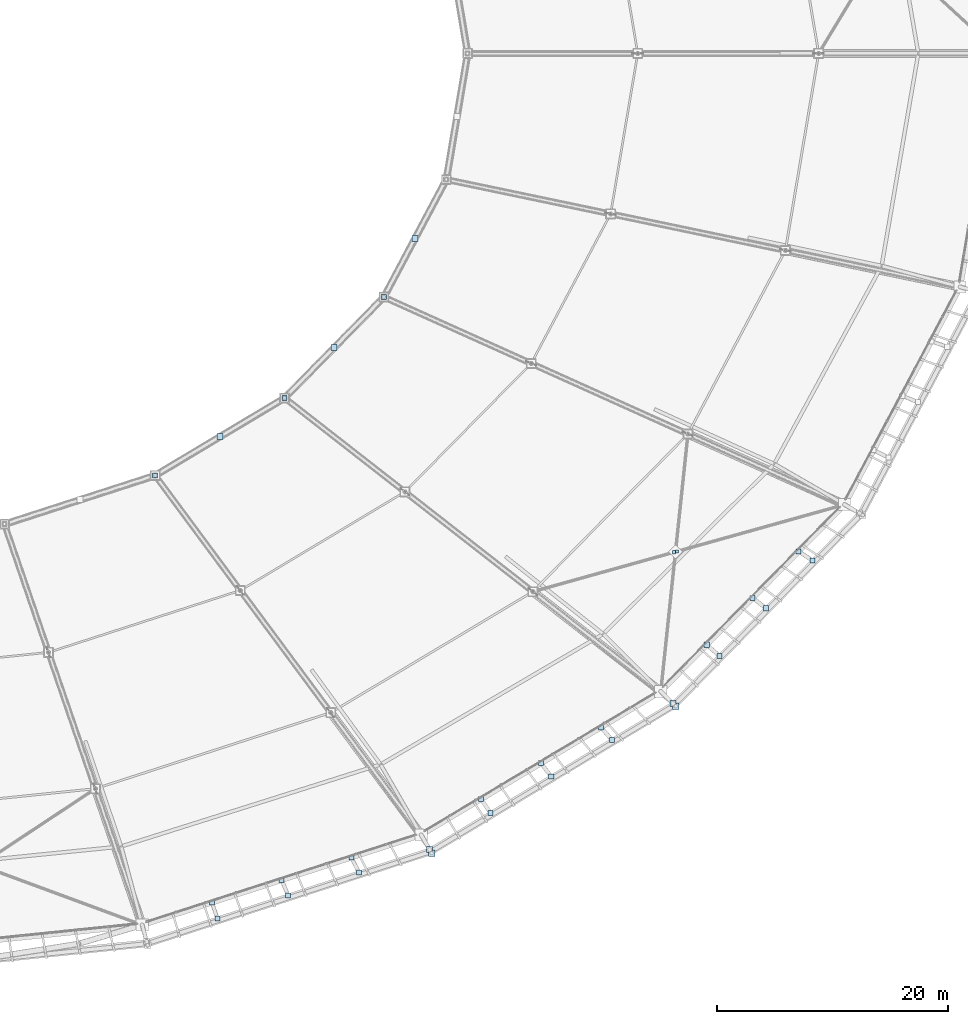
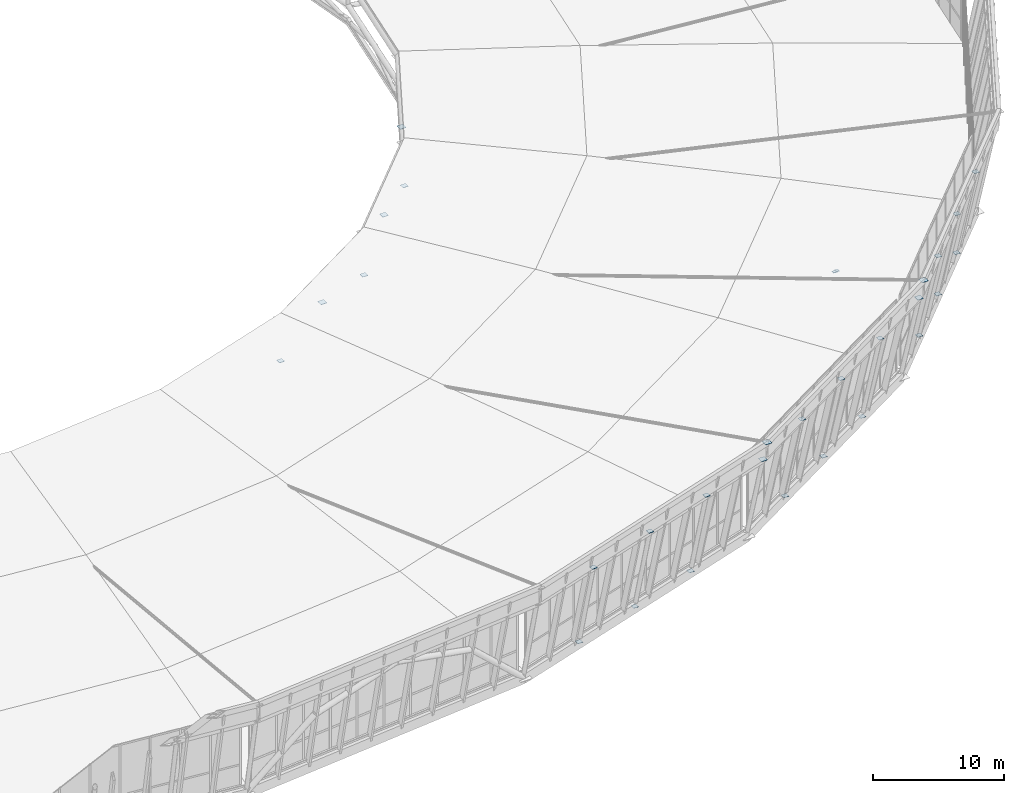
# One storey, part 105 of 115: 30 plates.
"""IFC4 building model written with IfcOpenShell, lengths in metres."""

from ifc_helpers import new_model, si_unit, direction, frame, origin, origin_2d, place, context, subcontext, project, spatial, rectangle, extrude, material, layer, layer_set, type_object, element, save


model = new_model("IFC4")

# Units and contexts
model_context = context("Model", 3, precision=1e-05, world=origin(), true_north=direction((0.0, 1.0)))
body_context = subcontext(model_context, "Body", "Model", "MODEL_VIEW")
ifc_project = project(units=[si_unit("LENGTHUNIT", "METRE"), si_unit("AREAUNIT", "SQUARE_METRE"), si_unit("VOLUMEUNIT", "CUBIC_METRE"), si_unit("PLANEANGLEUNIT", "RADIAN"), si_unit("MASSUNIT", "GRAM", prefix="KILO")], contexts=[model_context])

# Site, building, storey
site_placement = place(None, origin())
site = spatial("IfcSite", under=ifc_project, at=site_placement, CompositionType="ELEMENT")
building_placement = place(site_placement, origin())
building = spatial("IfcBuilding", under=site, at=building_placement, Name="Zlatoyarsky Gate Stadium", CompositionType="ELEMENT")
storey_placement = place(building_placement, frame((0.0, 0.0, 31.800048828125)))
storey = spatial("IfcBuildingStorey", under=building, at=storey_placement, Name="RF", CompositionType="ELEMENT", Elevation=31.800048828125)

# Plates
ifc_material = material(Name="Steel S355", Category="steel")
ifc_layer = layer(ifc_material, 0.02392578125)
ifc_layer_set = layer_set([ifc_layer], Name="Steel S355")
plate_type = type_object("IfcPlateType", Name="STEEL HOLLOW CHORD SPLICE SHEET 24", PredefinedType="SHEET", material=ifc_layer_set)
for number, where, z_axis, x_axis, name in (
    (1, (142.920166015625, 6.579833984375, -0.4619140625), (0.0, 0.0, 1.0), (1.0, 0.0, 0.0), "Node closure plate ND-SP1 NCAP-RIB-19-1-4T"),
    (2, (143.388671875, 5.19873046875, 7.137939453125), (0.0, 0.0, 1.0), (1.0, 0.0, 0.0), "Node closure plate ND-SP1 NCAP-RIB-19-1-5T"),
    (3, (148.951416015625, 8.528564453125, -0.4619140625), (0.0, 0.0, 1.0), (1.0, 0.0, 0.0), "Node closure plate ND-SP1 NCAP-RIB-19-2-4T"),
    (4, (149.50830078125, 7.18408203125, 7.137939453125), (0.0, 0.0, 1.0), (1.0, 0.0, 0.0), "Node closure plate ND-SP1 NCAP-RIB-19-2-5T"),
    (5, (154.982666015625, 10.477294921875, -0.4619140625), (0.0, 0.0, 1.0), (1.0, 0.0, 0.0), "Node closure plate ND-SP1 NCAP-RIB-19-3-4T"),
    (6, (155.6279296875, 9.169677734375, 7.137939453125), (0.0, 0.0, 1.0), (1.0, 0.0, 0.0), "Node closure plate ND-SP1 NCAP-RIB-19-3-5T"),
):
    element("IfcPlate", number, at=place(storey_placement, frame(where, z_axis=z_axis, x_axis=x_axis)), inside=storey, type_object=plate_type, Name=name, PredefinedType="SHEET", context=body_context, shape_type="SweptSolid", body=[
        extrude(rectangle(XDim=0.43994140625, YDim=0.43994140625, at=origin_2d()), origin(), (0.0, 0.0, 1.0), 0.02392578125),
    ])
plate_1_placement = place(storey_placement, frame((161.922119140625, 10.852783203125, 8.837890625), z_axis=(0.0, 0.0, 1.0), x_axis=(1.0, 0.0, 0.0)))
element("IfcPlate", 7, at=plate_1_placement, inside=storey, type_object=plate_type, Name="Node closure plate ND-SP1 NCAP-FSC-20", PredefinedType="SHEET", context=body_context, shape_type="SweptSolid", body=[
    extrude(rectangle(XDim=0.56005859375, YDim=0.56005859375, at=origin_2d()), origin(), (0.0, 0.0, 1.0), 0.02392578125),
])
plate_2_placement = place(storey_placement, frame((161.747802734375, 11.155029296875, 7.137939453125), z_axis=(0.0, 0.0, 1.0), x_axis=(1.0, 0.0, 0.0)))
element("IfcPlate", 8, at=plate_2_placement, inside=storey, type_object=plate_type, Name="Node closure plate ND-SP1 NCAP-FSCB-20", PredefinedType="SHEET", context=body_context, shape_type="SweptSolid", body=[
    extrude(rectangle(XDim=0.52001953125, YDim=0.52001953125, at=origin_2d()), origin(), (0.0, 0.0, 1.0), 0.02392578125),
])
for number, where, z_axis, x_axis, name in (
    (9, (166.19287109375, 15.526123046875, -0.4619140625), (0.0, 0.0, 1.0), (1.0, 0.0, 0.0), "Node closure plate ND-SP1 NCAP-RIB-20-1-4T"),
    (10, (167.002685546875, 14.3134765625, 7.137939453125), (0.0, 0.0, 1.0), (1.0, 0.0, 0.0), "Node closure plate ND-SP1 NCAP-RIB-20-1-5T"),
    (11, (171.3720703125, 18.626220703125, -0.4619140625), (0.0, 0.0, 1.0), (1.0, 0.0, 0.0), "Node closure plate ND-SP1 NCAP-RIB-20-2-4T"),
    (12, (172.2578125, 17.4716796875, 7.137939453125), (0.0, 0.0, 1.0), (1.0, 0.0, 0.0), "Node closure plate ND-SP1 NCAP-RIB-20-2-5T"),
    (13, (176.551025390625, 21.72607421875, -0.4619140625), (0.0, 0.0, 1.0), (1.0, 0.0, 0.0), "Node closure plate ND-SP1 NCAP-RIB-20-3-4T"),
    (14, (177.512939453125, 20.6298828125, 7.137939453125), (0.0, 0.0, 1.0), (1.0, 0.0, 0.0), "Node closure plate ND-SP1 NCAP-RIB-20-3-5T"),
):
    element("IfcPlate", number, at=place(storey_placement, frame(where, z_axis=z_axis, x_axis=x_axis)), inside=storey, type_object=plate_type, Name=name, PredefinedType="SHEET", context=body_context, shape_type="SweptSolid", body=[
        extrude(rectangle(XDim=0.43994140625, YDim=0.43994140625, at=origin_2d()), origin(), (0.0, 0.0, 1.0), 0.02392578125),
    ])
plate_3_placement = place(storey_placement, frame((143.600830078125, 46.858154296875, 6.43798828125), z_axis=(0.0, 0.0, 1.0), x_axis=(1.0, 0.0, 0.0)))
element("IfcPlate", 15, at=plate_3_placement, inside=storey, type_object=plate_type, Name="Node closure plate ND-SP1 NCAP-CATM-20", PredefinedType="SHEET", context=body_context, shape_type="SweptSolid", body=[
    extrude(rectangle(XDim=0.52001953125, YDim=0.52001953125, at=origin_2d()), origin(), (0.0, 0.0, 1.0), 0.02392578125),
])
plate_4_placement = place(storey_placement, frame((138.007568359375, 43.510009765625, 4.988037109375), z_axis=(0.0, 0.0, 1.0), x_axis=(1.0, 0.0, 0.0)))
element("IfcPlate", 16, at=plate_4_placement, inside=storey, type_object=plate_type, Name="Node closure plate ND-SP1 NCAP-CAT-20", PredefinedType="SHEET", context=body_context, shape_type="SweptSolid", body=[
    extrude(rectangle(XDim=0.449951171875, YDim=0.449951171875, at=origin_2d()), origin(), (0.0, 0.0, 1.0), 0.02392578125),
])
plate_5_placement = place(storey_placement, frame((183.0146484375, 23.54150390625, 8.837890625), z_axis=(0.0, 0.0, 1.0), x_axis=(1.0, 0.0, 0.0)))
element("IfcPlate", 17, at=plate_5_placement, inside=storey, type_object=plate_type, Name="Node closure plate ND-SP1 NCAP-FSC-21", PredefinedType="SHEET", context=body_context, shape_type="SweptSolid", body=[
    extrude(rectangle(XDim=0.56005859375, YDim=0.56005859375, at=origin_2d()), origin(), (0.0, 0.0, 1.0), 0.02392578125),
])
plate_6_placement = place(storey_placement, frame((182.76806640625, 23.788330078125, 7.137939453125), z_axis=(0.0, 0.0, 1.0), x_axis=(1.0, 0.0, 0.0)))
element("IfcPlate", 18, at=plate_6_placement, inside=storey, type_object=plate_type, Name="Node closure plate ND-SP1 NCAP-FSCB-21", PredefinedType="SHEET", context=body_context, shape_type="SweptSolid", body=[
    extrude(rectangle(XDim=0.52001953125, YDim=0.52001953125, at=origin_2d()), origin(), (0.0, 0.0, 1.0), 0.02392578125),
])
for number, where, z_axis, x_axis, name in (
    (19, (185.704345703125, 28.8662109375, -0.4619140625), (0.0, 0.0, 1.0), (1.0, 0.0, 0.0), "Node closure plate ND-SP1 NCAP-RIB-21-1-4T"),
    (20, (186.80029296875, 27.904296875, 7.137939453125), (0.0, 0.0, 1.0), (1.0, 0.0, 0.0), "Node closure plate ND-SP1 NCAP-RIB-21-1-5T"),
    (21, (189.67822265625, 32.90625, -0.4619140625), (0.0, 0.0, 1.0), (1.0, 0.0, 0.0), "Node closure plate ND-SP1 NCAP-RIB-21-2-4T"),
    (22, (190.832763671875, 32.020263671875, 7.137939453125), (0.0, 0.0, 1.0), (1.0, 0.0, 0.0), "Node closure plate ND-SP1 NCAP-RIB-21-2-5T"),
    (23, (193.65234375, 36.9462890625, -0.4619140625), (0.0, 0.0, 1.0), (1.0, 0.0, 0.0), "Node closure plate ND-SP1 NCAP-RIB-21-3-4T"),
    (24, (194.864990234375, 36.13623046875, 7.137939453125), (0.0, 0.0, 1.0), (1.0, 0.0, 0.0), "Node closure plate ND-SP1 NCAP-RIB-21-3-5T"),
):
    element("IfcPlate", number, at=place(storey_placement, frame(where, z_axis=z_axis, x_axis=x_axis)), inside=storey, type_object=plate_type, Name=name, PredefinedType="SHEET", context=body_context, shape_type="SweptSolid", body=[
        extrude(rectangle(XDim=0.43994140625, YDim=0.43994140625, at=origin_2d()), origin(), (0.0, 0.0, 1.0), 0.02392578125),
    ])
plate_7_placement = place(storey_placement, frame((153.486328125, 54.5693359375, 6.43798828125), z_axis=(0.0, 0.0, 1.0), x_axis=(1.0, 0.0, 0.0)))
element("IfcPlate", 25, at=plate_7_placement, inside=storey, type_object=plate_type, Name="Node closure plate ND-SP1 NCAP-CATM-21", PredefinedType="SHEET", context=body_context, shape_type="SweptSolid", body=[
    extrude(rectangle(XDim=0.52001953125, YDim=0.52001953125, at=origin_2d()), origin(), (0.0, 0.0, 1.0), 0.02392578125),
])
plate_8_placement = place(storey_placement, frame((149.1943359375, 50.2060546875, 4.988037109375), z_axis=(0.0, 0.0, 1.0), x_axis=(1.0, 0.0, 0.0)))
element("IfcPlate", 26, at=plate_8_placement, inside=storey, type_object=plate_type, Name="Node closure plate ND-SP1 NCAP-CAT-21", PredefinedType="SHEET", context=body_context, shape_type="SweptSolid", body=[
    extrude(rectangle(XDim=0.449951171875, YDim=0.449951171875, at=origin_2d()), origin(), (0.0, 0.0, 1.0), 0.02392578125),
])
for number, where, z_axis, x_axis, name in (
    (27, (183.12744140625, 36.935791015625, 1.566650390625), (0.0, 0.0, 1.0), (1.0, 0.0, 0.0), "Node closure plate ND-SP1 NCAP-XBH1-21"),
    (28, (182.8798828125, 36.86669921875, 1.597900390625), (0.0, 0.0, 1.0), (1.0, 0.0, 0.0), "Node closure plate ND-SP1 NCAP-XBH2-21"),
):
    element("IfcPlate", number, at=place(storey_placement, frame(where, z_axis=z_axis, x_axis=x_axis)), inside=storey, type_object=plate_type, Name=name, PredefinedType="SHEET", context=body_context, shape_type="SweptSolid", body=[
        extrude(rectangle(XDim=0.280029296875, YDim=0.280029296875, at=origin_2d()), origin(), (0.0, 0.0, 1.0), 0.02392578125),
    ])
plate_9_placement = place(storey_placement, frame((160.476318359375, 64.013671875, 6.43798828125), z_axis=(0.0, 0.0, 1.0), x_axis=(1.0, 0.0, 0.0)))
element("IfcPlate", 29, at=plate_9_placement, inside=storey, type_object=plate_type, Name="Node closure plate ND-SP1 NCAP-CATM-22", PredefinedType="SHEET", context=body_context, shape_type="SweptSolid", body=[
    extrude(rectangle(XDim=0.52001953125, YDim=0.52001953125, at=origin_2d()), origin(), (0.0, 0.0, 1.0), 0.02392578125),
])
plate_10_placement = place(storey_placement, frame((157.7783203125, 58.9326171875, 4.988037109375), z_axis=(0.0, 0.0, 1.0), x_axis=(1.0, 0.0, 0.0)))
element("IfcPlate", 30, at=plate_10_placement, inside=storey, type_object=plate_type, Name="Node closure plate ND-SP1 NCAP-CAT-22", PredefinedType="SHEET", context=body_context, shape_type="SweptSolid", body=[
    extrude(rectangle(XDim=0.449951171875, YDim=0.449951171875, at=origin_2d()), origin(), (0.0, 0.0, 1.0), 0.02392578125),
])

save(model, "model.ifc")
